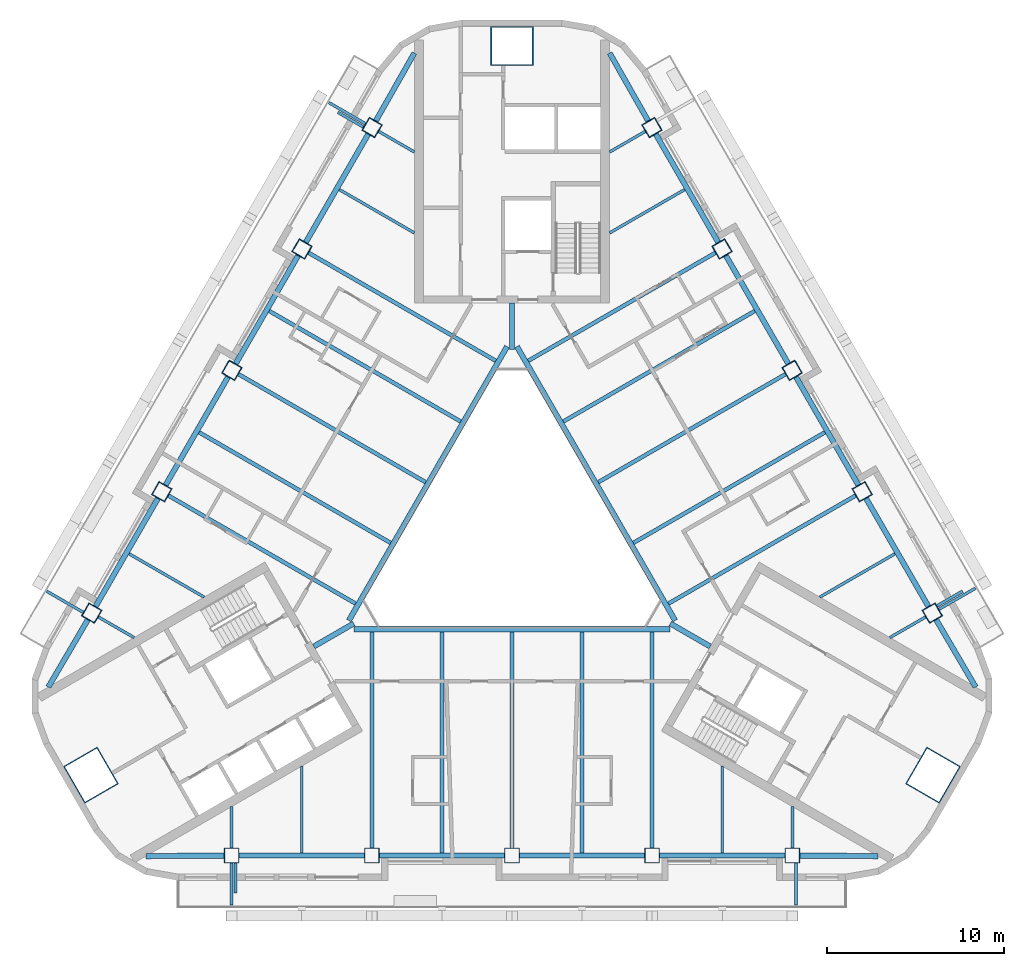
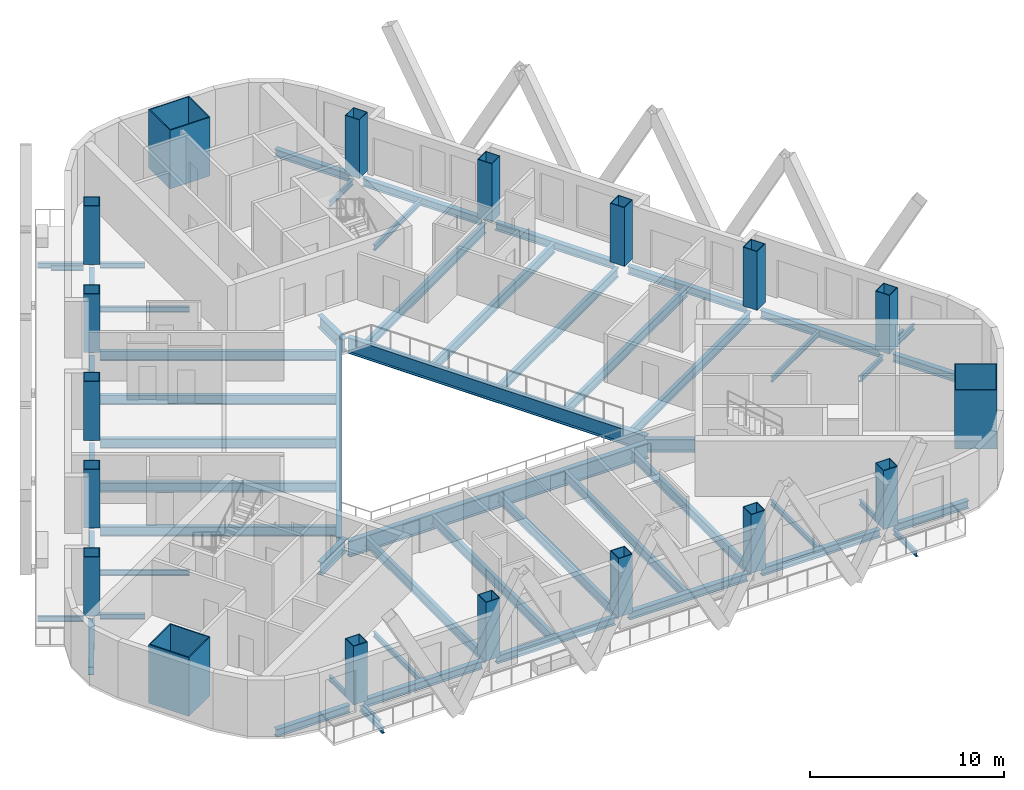
# One storey, part 1 of 13: 59 beams, 18 columns.
"""IFC4 building model written with IfcOpenShell, lengths in metres."""

from ifc_helpers import new_model, si_unit, direction, frame, origin, origin_2d, place, context, subcontext, project, spatial, rectangle, hollow_rectangle, i_section, extrude, material, material_profile, profile_set, type_object, element, save


model = new_model("IFC4")

# Units and contexts
model_context = context("Model", 3, precision=1e-05, world=origin(), true_north=direction((0.0, 1.0)))
body_context = subcontext(model_context, "Body", "Model", "MODEL_VIEW")
ifc_project = project(units=[si_unit("LENGTHUNIT", "METRE"), si_unit("AREAUNIT", "SQUARE_METRE"), si_unit("VOLUMEUNIT", "CUBIC_METRE"), si_unit("PLANEANGLEUNIT", "RADIAN"), si_unit("MASSUNIT", "GRAM", prefix="KILO")], contexts=[model_context])

# Site, building, storey
site_placement = place(None, origin())
site = spatial("IfcSite", under=ifc_project, at=site_placement, CompositionType="ELEMENT")
building_placement = place(site_placement, origin())
building = spatial("IfcBuilding", under=site, at=building_placement, Name="Apuvela Tower Hotel", CompositionType="ELEMENT")
storey_placement = place(building_placement, frame((0.0, 0.0, 183.60009765625)))
storey = spatial("IfcBuildingStorey", under=building, at=storey_placement, Name="L44", CompositionType="ELEMENT", Elevation=183.60009765625)

# Columns
ifc_material_1 = material(Name="Steel S460", Category="steel")
ifc_material_profile_1 = material_profile(ifc_material_1, hollow_rectangle(XDim=2.39990234375, YDim=2.199951171875, WallThickness=0.06005859375, at=origin_2d()), Name="BOX 2400x2200x60")
ifc_material_2 = material(Name="Concrete C80/95", Category="concrete")
ifc_material_profile_2 = material_profile(ifc_material_2, rectangle(XDim=2.280029296875, YDim=2.080078125, at=origin_2d()), Name="Concrete C80/95 infill")
ifc_profile_set_1 = profile_set([ifc_material_profile_1, ifc_material_profile_2], Name="Steel S460")
column_type_1 = type_object("IfcColumnType", Name="STR-MC mega column BOX 2400x2200x60", PredefinedType="COLUMN", material=ifc_profile_set_1)
for number, where, z_axis, x_axis, name in (
    (1, (0.0, 27.39990234375, 0.0), (0.0, 0.0, 1.0), (1.0, 0.0, 0.0), "Mega column MC3 N"),
    (2, (-23.72900390625, -13.699951171875, 0.0), (0.0, 0.0, 1.0), (-0.5, 0.866025403784, 0.0), "Mega column MC3 SW"),
    (3, (23.72900390625, -13.699951171875, 0.0), (0.0, 0.0, 1.0), (0.5, 0.866025403784, 0.0), "Mega column MC3 SE"),
):
    element("IfcColumn", number, at=place(storey_placement, frame(where, z_axis=z_axis, x_axis=x_axis)), inside=storey, type_object=column_type_1, Name=name, PredefinedType="COLUMN", context=body_context, shape_type="SweptSolid", body=[
        extrude(hollow_rectangle(XDim=2.39990234375, YDim=2.199951171875, WallThickness=0.06005859375, at=origin_2d()), origin(), (0.0, 0.0, 1.0), 3.699951171875),
    ])
ifc_material_profile_3 = material_profile(ifc_material_1, hollow_rectangle(XDim=0.85009765625, YDim=0.85009765625, WallThickness=0.0400390625, at=origin_2d()), Name="BOX 850x850x40")
ifc_material_profile_4 = material_profile(ifc_material_2, rectangle(XDim=0.77001953125, YDim=0.77001953125, at=origin_2d()), Name="Concrete C80/95 infill")
ifc_profile_set_2 = profile_set([ifc_material_profile_3, ifc_material_profile_4], Name="Steel S460")
column_type_2 = type_object("IfcColumnType", Name="STR-PC perimeter column BOX 850x850x40", PredefinedType="COLUMN", material=ifc_profile_set_2)
for number, where, z_axis, x_axis, name in (
    (4, (-15.800048828125, -18.22998046875, 0.0), (0.0, 0.0, 1.0), (-1.0, 0.0, 0.0), "Perimeter column C4 S1"),
    (5, (-7.89990234375, -18.22998046875, 0.0), (0.0, 0.0, 1.0), (-1.0, 0.0, 0.0), "Perimeter column C4 S2"),
    (6, (0.0, -18.22998046875, 0.0), (0.0, 0.0, 1.0), (-1.0, 0.0, 0.0), "Perimeter column C4 S3"),
    (7, (7.89990234375, -18.22998046875, 0.0), (0.0, 0.0, 1.0), (-1.0, 0.0, 0.0), "Perimeter column C4 S4"),
    (8, (15.800048828125, -18.22998046875, 0.0), (0.0, 0.0, 1.0), (-1.0, 0.0, 0.0), "Perimeter column C4 S5"),
    (9, (23.6875, -4.568115234375, 0.0), (0.0, 0.0, 1.0), (-0.5, 0.866025403784, 0.0), "Perimeter column C4 NE1"),
    (10, (19.737548828125, 2.2734375, 0.0), (0.0, 0.0, 1.0), (-0.5, 0.866025403784, 0.0), "Perimeter column C4 NE2"),
    (11, (15.78759765625, 9.114990234375, 0.0), (0.0, 0.0, 1.0), (-0.5, 0.866025403784, 0.0), "Perimeter column C4 NE3"),
    (12, (11.837646484375, 15.95654296875, 0.0), (0.0, 0.0, 1.0), (-0.5, 0.866025403784, 0.0), "Perimeter column C4 NE4"),
    (13, (7.8876953125, 22.798095703125, 0.0), (0.0, 0.0, 1.0), (-0.5, 0.866025403784, 0.0), "Perimeter column C4 NE5"),
    (14, (-7.8876953125, 22.798095703125, 0.0), (0.0, 0.0, 1.0), (0.5, 0.866025403784, 0.0), "Perimeter column C4 NW1"),
    (15, (-11.837646484375, 15.95654296875, 0.0), (0.0, 0.0, 1.0), (0.5, 0.866025403784, 0.0), "Perimeter column C4 NW2"),
    (16, (-15.78759765625, 9.114990234375, 0.0), (0.0, 0.0, 1.0), (0.5, 0.866025403784, 0.0), "Perimeter column C4 NW3"),
    (17, (-19.737548828125, 2.2734375, 0.0), (0.0, 0.0, 1.0), (0.5, 0.866025403784, 0.0), "Perimeter column C4 NW4"),
    (18, (-23.6875, -4.568115234375, 0.0), (0.0, 0.0, 1.0), (0.5, 0.866025403784, 0.0), "Perimeter column C4 NW5"),
):
    element("IfcColumn", number, at=place(storey_placement, frame(where, z_axis=z_axis, x_axis=x_axis)), inside=storey, type_object=column_type_2, Name=name, PredefinedType="COLUMN", context=body_context, shape_type="SweptSolid", body=[
        extrude(hollow_rectangle(XDim=0.85009765625, YDim=0.85009765625, WallThickness=0.0400390625, at=origin_2d()), origin(), (0.0, 0.0, 1.0), 3.699951171875),
    ])

# Beams
ifc_material_3 = material(Name="Steel S355", Category="steel")
ifc_material_profile_5 = material_profile(ifc_material_3, i_section(OverallWidth=0.159912109375, OverallDepth=0.330078125, WebThickness=0.007568359375, FlangeThickness=0.011474609375, at=origin_2d()), Name="IPE 330")
ifc_profile_set_3 = profile_set([ifc_material_profile_5], Name="Steel S355")
beam_type_1 = type_object("IfcBeamType", Name="ENV-BALCONY-BEAM-IPE330", PredefinedType="BEAM", material=ifc_profile_set_3)
beam_1_placement = place(storey_placement, frame((-15.800048828125, -18.655029296875, -0.315185546875), z_axis=(0.0, -1.0, 0.0), x_axis=(1.0, 0.0, 0.0)))
element("IfcBeam", 19, at=beam_1_placement, inside=storey, type_object=beam_type_1, Name="Balcony cantilever beam S1 L44", PredefinedType="BEAM", context=body_context, shape_type="SweptSolid", body=[
    extrude(i_section(OverallWidth=0.159912109375, OverallDepth=0.330078125, WebThickness=0.007568359375, FlangeThickness=0.011474609375, at=origin_2d()), origin(), (0.0, 0.0, 1.0), 2.375),
])
beam_2_placement = place(storey_placement, frame((-15.580078125, -18.655029296875, -0.315185546875), z_axis=(0.0, -1.0, 0.0), x_axis=(1.0, 0.0, 0.0)))
element("IfcBeam", 20, at=beam_2_placement, inside=storey, type_object=beam_type_1, Name="Balcony cantilever beam S2 L44", PredefinedType="BEAM", context=body_context, shape_type="SweptSolid", body=[
    extrude(i_section(OverallWidth=0.159912109375, OverallDepth=0.330078125, WebThickness=0.007568359375, FlangeThickness=0.011474609375, at=origin_2d()), origin(), (0.0, 0.0, 1.0), 1.675048828125),
])
for number, where, z_axis, x_axis, name in (
    (21, (16.0, -18.655029296875, -0.315185546875), (0.0, -1.0, 0.0), (1.0, 0.0, 0.0), "Balcony cantilever beam S3 L44"),
    (22, (24.0556640625, -4.355712890625, -0.315185546875), (0.866033238375, 0.499986429846, 0.0), (-0.499986429846, 0.866033238375, 0.0), "Balcony cantilever beam NE1 L44"),
):
    element("IfcBeam", number, at=place(storey_placement, frame(where, z_axis=z_axis, x_axis=x_axis)), inside=storey, type_object=beam_type_1, Name=name, PredefinedType="BEAM", context=body_context, shape_type="SweptSolid", body=[
        extrude(i_section(OverallWidth=0.159912109375, OverallDepth=0.330078125, WebThickness=0.007568359375, FlangeThickness=0.011474609375, at=origin_2d()), origin(), (0.0, 0.0, 1.0), 2.375),
    ])
beam_3_placement = place(storey_placement, frame((23.94580078125, -4.165283203125, -0.315185546875), z_axis=(0.865964676353, 0.500105168249, 0.0), x_axis=(-0.500105168249, 0.865964676353, 0.0)))
element("IfcBeam", 23, at=beam_3_placement, inside=storey, type_object=beam_type_1, Name="Balcony cantilever beam NE2 L44", PredefinedType="BEAM", context=body_context, shape_type="SweptSolid", body=[
    extrude(i_section(OverallWidth=0.159912109375, OverallDepth=0.330078125, WebThickness=0.007568359375, FlangeThickness=0.011474609375, at=origin_2d()), origin(), (0.0, 0.0, 1.0), 1.675048828125),
])
beam_4_placement = place(storey_placement, frame((-8.255615234375, 23.0107421875, -0.315185546875), z_axis=(-0.866033238375, 0.499986429846, 0.0), x_axis=(-0.499986429846, -0.866033238375, 0.0)))
element("IfcBeam", 24, at=beam_4_placement, inside=storey, type_object=beam_type_1, Name="Balcony cantilever beam NW1 L44", PredefinedType="BEAM", context=body_context, shape_type="SweptSolid", body=[
    extrude(i_section(OverallWidth=0.159912109375, OverallDepth=0.330078125, WebThickness=0.007568359375, FlangeThickness=0.011474609375, at=origin_2d()), origin(), (0.0, 0.0, 1.0), 2.375),
])
beam_5_placement = place(storey_placement, frame((-8.36572265625, 22.8203125, -0.315185546875), z_axis=(-0.866064234506, 0.499932737185, 0.0), x_axis=(-0.499932737185, -0.866064234506, 0.0)))
element("IfcBeam", 25, at=beam_5_placement, inside=storey, type_object=beam_type_1, Name="Balcony cantilever beam NW2 L44", PredefinedType="BEAM", context=body_context, shape_type="SweptSolid", body=[
    extrude(i_section(OverallWidth=0.159912109375, OverallDepth=0.330078125, WebThickness=0.007568359375, FlangeThickness=0.011474609375, at=origin_2d()), origin(), (0.0, 0.0, 1.0), 1.675048828125),
])
beam_6_placement = place(storey_placement, frame((-24.15576171875, -4.52880859375, -0.315185546875), z_axis=(-0.866007538022, 0.500030943131, 0.0), x_axis=(-0.500030943131, -0.866007538022, 0.0)))
element("IfcBeam", 26, at=beam_6_placement, inside=storey, type_object=beam_type_1, Name="Balcony cantilever beam NW3 L44", PredefinedType="BEAM", context=body_context, shape_type="SweptSolid", body=[
    extrude(i_section(OverallWidth=0.159912109375, OverallDepth=0.330078125, WebThickness=0.007568359375, FlangeThickness=0.011474609375, at=origin_2d()), origin(), (0.0, 0.0, 1.0), 2.374755859375),
])
ifc_material_profile_6 = material_profile(ifc_material_3, i_section(OverallWidth=0.159912109375, OverallDepth=0.330078125, WebThickness=0.007568359375, FlangeThickness=0.011474609375, at=origin_2d()), Name="IPE 330")
ifc_profile_set_4 = profile_set([ifc_material_profile_6], Name="Steel S355")
beam_type_2 = type_object("IfcBeamType", Name="STR-B floor beam IPE 330", PredefinedType="BEAM", material=ifc_profile_set_4)
beam_7_placement = place(storey_placement, frame((23.319580078125, -4.78076171875, -0.315185546875), z_axis=(-0.866018215049, -0.500012451049, 0.0), x_axis=(0.500012451049, -0.866018215049, 0.0)))
element("IfcBeam", 27, at=beam_7_placement, inside=storey, type_object=beam_type_2, Name="Floor beam B1 NE1", PredefinedType="BEAM", context=body_context, shape_type="SweptSolid", body=[
    extrude(i_section(OverallWidth=0.159912109375, OverallDepth=0.330078125, WebThickness=0.007568359375, FlangeThickness=0.011474609375, at=origin_2d()), origin(), (0.0, 0.0, 1.0), 2.33203125),
])
for number, where, z_axis, x_axis, name in (
    (28, (21.582763671875, -1.222412109375, -0.315185546875), (-0.866015056278, -0.500017921979, 0.0), (0.500017921979, -0.866015056278, 0.0), "Floor beam B1 NE2"),
    (29, (9.732666015625, 19.302490234375, -0.315185546875), (-0.866015056278, -0.500017921979, 0.0), (0.500017921979, -0.866015056278, 0.0), "Floor beam B1 NE8"),
):
    element("IfcBeam", number, at=place(storey_placement, frame(where, z_axis=z_axis, x_axis=x_axis)), inside=storey, type_object=beam_type_2, Name=name, PredefinedType="BEAM", context=body_context, shape_type="SweptSolid", body=[
        extrude(i_section(OverallWidth=0.159912109375, OverallDepth=0.330078125, WebThickness=0.007568359375, FlangeThickness=0.011474609375, at=origin_2d()), origin(), (0.0, 0.0, 1.0), 4.887451171875),
    ])
for number, where, z_axis, x_axis, name in (
    (30, (7.51953125, 22.585693359375, -0.315185546875), (-0.866018215049, -0.500012451049, 0.0), (0.500012451049, -0.866018215049, 0.0), "Floor beam B1 NE9"),
    (31, (-7.51953125, 22.585693359375, -0.315185546875), (0.866018215049, -0.500012451049, 0.0), (0.500012451049, 0.866018215049, 0.0), "Floor beam B1 NW1"),
):
    element("IfcBeam", number, at=place(storey_placement, frame(where, z_axis=z_axis, x_axis=x_axis)), inside=storey, type_object=beam_type_2, Name=name, PredefinedType="BEAM", context=body_context, shape_type="SweptSolid", body=[
        extrude(i_section(OverallWidth=0.159912109375, OverallDepth=0.330078125, WebThickness=0.007568359375, FlangeThickness=0.011474609375, at=origin_2d()), origin(), (0.0, 0.0, 1.0), 2.33203125),
    ])
for number, where, z_axis, x_axis, name in (
    (32, (-9.732666015625, 19.302490234375, -0.315185546875), (0.866015056278, -0.500017921979, 0.0), (0.500017921979, 0.866015056278, 0.0), "Floor beam B1 NW2"),
    (33, (-21.582763671875, -1.222412109375, -0.315185546875), (0.866015056278, -0.500017921979, 0.0), (0.500017921979, 0.866015056278, 0.0), "Floor beam B1 NW8"),
):
    element("IfcBeam", number, at=place(storey_placement, frame(where, z_axis=z_axis, x_axis=x_axis)), inside=storey, type_object=beam_type_2, Name=name, PredefinedType="BEAM", context=body_context, shape_type="SweptSolid", body=[
        extrude(i_section(OverallWidth=0.159912109375, OverallDepth=0.330078125, WebThickness=0.007568359375, FlangeThickness=0.011474609375, at=origin_2d()), origin(), (0.0, 0.0, 1.0), 4.887451171875),
    ])
for number, where, z_axis, x_axis, name in (
    (34, (-23.319580078125, -4.78076171875, -0.315185546875), (0.866018215049, -0.500012451049, 0.0), (0.500012451049, 0.866018215049, 0.0), "Floor beam B1 NW9"),
    (35, (-15.800048828125, -17.804931640625, -0.315185546875), (0.0, 1.0, 0.0), (-1.0, 0.0, 0.0), "Floor beam B1 S1"),
):
    element("IfcBeam", number, at=place(storey_placement, frame(where, z_axis=z_axis, x_axis=x_axis)), inside=storey, type_object=beam_type_2, Name=name, PredefinedType="BEAM", context=body_context, shape_type="SweptSolid", body=[
        extrude(i_section(OverallWidth=0.159912109375, OverallDepth=0.330078125, WebThickness=0.007568359375, FlangeThickness=0.011474609375, at=origin_2d()), origin(), (0.0, 0.0, 1.0), 2.33203125),
    ])
for number, where, z_axis, x_axis, name in (
    (36, (-11.85009765625, -18.080078125, -0.315185546875), (0.0, 1.0, 0.0), (-1.0, 0.0, 0.0), "Floor beam B1 S2"),
    (37, (11.85009765625, -18.080078125, -0.315185546875), (0.0, 1.0, 0.0), (-1.0, 0.0, 0.0), "Floor beam B1 S8"),
):
    element("IfcBeam", number, at=place(storey_placement, frame(where, z_axis=z_axis, x_axis=x_axis)), inside=storey, type_object=beam_type_2, Name=name, PredefinedType="BEAM", context=body_context, shape_type="SweptSolid", body=[
        extrude(i_section(OverallWidth=0.159912109375, OverallDepth=0.330078125, WebThickness=0.007568359375, FlangeThickness=0.011474609375, at=origin_2d()), origin(), (0.0, 0.0, 1.0), 4.8876953125),
    ])
beam_8_placement = place(storey_placement, frame((15.800048828125, -17.804931640625, -0.315185546875), z_axis=(0.0, 1.0, 0.0), x_axis=(-1.0, 0.0, 0.0)))
element("IfcBeam", 38, at=beam_8_placement, inside=storey, type_object=beam_type_2, Name="Floor beam B1 S9", PredefinedType="BEAM", context=body_context, shape_type="SweptSolid", body=[
    extrude(i_section(OverallWidth=0.159912109375, OverallDepth=0.330078125, WebThickness=0.007568359375, FlangeThickness=0.011474609375, at=origin_2d()), origin(), (0.0, 0.0, 1.0), 2.33203125),
])
ifc_material_profile_7 = material_profile(ifc_material_3, i_section(OverallWidth=0.219970703125, OverallDepth=0.60009765625, WebThickness=0.011962890625, FlangeThickness=0.01904296875, at=origin_2d()), Name="IPE 600")
ifc_profile_set_5 = profile_set([ifc_material_profile_7], Name="Steel S355")
beam_type_3 = type_object("IfcBeamType", Name="STR-B floor beam IPE 600", PredefinedType="BEAM", material=ifc_profile_set_5)
beam_9_placement = place(storey_placement, frame((19.36962890625, 2.060791015625, -0.4501953125), z_axis=(-0.866032437209, -0.499987817553, 0.0), x_axis=(0.499987817553, -0.866032437209, 0.0)))
element("IfcBeam", 39, at=beam_9_placement, inside=storey, type_object=beam_type_3, Name="Floor beam B8 NE3", PredefinedType="BEAM", context=body_context, shape_type="SweptSolid", body=[
    extrude(i_section(OverallWidth=0.219970703125, OverallDepth=0.60009765625, WebThickness=0.011962890625, FlangeThickness=0.01904296875, at=origin_2d()), origin(), (0.0, 0.0, 1.0), 12.184814453125),
])
beam_10_placement = place(storey_placement, frame((17.6328125, 5.619140625, -0.4501953125), z_axis=(-0.866027987673, -0.499995524547, 0.0), x_axis=(0.499995524547, -0.866027987673, 0.0)))
element("IfcBeam", 40, at=beam_10_placement, inside=storey, type_object=beam_type_3, Name="Floor beam B8 NE4", PredefinedType="BEAM", context=body_context, shape_type="SweptSolid", body=[
    extrude(i_section(OverallWidth=0.219970703125, OverallDepth=0.60009765625, WebThickness=0.011962890625, FlangeThickness=0.01904296875, at=origin_2d()), origin(), (0.0, 0.0, 1.0), 12.4599609375),
])
beam_11_placement = place(storey_placement, frame((15.419677734375, 8.902587890625, -0.4501953125), z_axis=(-0.8660237613, -0.500002844856, 0.0), x_axis=(0.500002844856, -0.8660237613, 0.0)))
element("IfcBeam", 41, at=beam_11_placement, inside=storey, type_object=beam_type_3, Name="Floor beam B8 NE5", PredefinedType="BEAM", context=body_context, shape_type="SweptSolid", body=[
    extrude(i_section(OverallWidth=0.219970703125, OverallDepth=0.60009765625, WebThickness=0.011962890625, FlangeThickness=0.01904296875, at=origin_2d()), origin(), (0.0, 0.0, 1.0), 12.18505859375),
])
beam_12_placement = place(storey_placement, frame((13.6826171875, 12.460693359375, -0.4501953125), z_axis=(-0.866023089177, -0.500004008996, 0.0), x_axis=(0.500004008996, -0.866023089177, 0.0)))
element("IfcBeam", 42, at=beam_12_placement, inside=storey, type_object=beam_type_3, Name="Floor beam B8 NE6", PredefinedType="BEAM", context=body_context, shape_type="SweptSolid", body=[
    extrude(i_section(OverallWidth=0.219970703125, OverallDepth=0.60009765625, WebThickness=0.011962890625, FlangeThickness=0.01904296875, at=origin_2d()), origin(), (0.0, 0.0, 1.0), 12.4599609375),
])
for number, where, z_axis, x_axis, name in (
    (43, (11.469482421875, 15.744140625, -0.4501953125), (-0.8660237613, -0.500002844856, 0.0), (0.500002844856, -0.8660237613, 0.0), "Floor beam B8 NE7"),
    (44, (-11.469482421875, 15.744140625, -0.4501953125), (0.8660237613, -0.500002844856, 0.0), (0.500002844856, 0.8660237613, 0.0), "Floor beam B8 NW3"),
):
    element("IfcBeam", number, at=place(storey_placement, frame(where, z_axis=z_axis, x_axis=x_axis)), inside=storey, type_object=beam_type_3, Name=name, PredefinedType="BEAM", context=body_context, shape_type="SweptSolid", body=[
        extrude(i_section(OverallWidth=0.219970703125, OverallDepth=0.60009765625, WebThickness=0.011962890625, FlangeThickness=0.01904296875, at=origin_2d()), origin(), (0.0, 0.0, 1.0), 12.18505859375),
    ])
beam_13_placement = place(storey_placement, frame((-13.6826171875, 12.460693359375, -0.4501953125), z_axis=(0.866023089177, -0.500004008996, 0.0), x_axis=(0.500004008996, 0.866023089177, 0.0)))
element("IfcBeam", 45, at=beam_13_placement, inside=storey, type_object=beam_type_3, Name="Floor beam B8 NW4", PredefinedType="BEAM", context=body_context, shape_type="SweptSolid", body=[
    extrude(i_section(OverallWidth=0.219970703125, OverallDepth=0.60009765625, WebThickness=0.011962890625, FlangeThickness=0.01904296875, at=origin_2d()), origin(), (0.0, 0.0, 1.0), 12.4599609375),
])
beam_14_placement = place(storey_placement, frame((-15.419677734375, 8.902587890625, -0.4501953125), z_axis=(0.8660237613, -0.500002844856, 0.0), x_axis=(0.500002844856, 0.8660237613, 0.0)))
element("IfcBeam", 46, at=beam_14_placement, inside=storey, type_object=beam_type_3, Name="Floor beam B8 NW5", PredefinedType="BEAM", context=body_context, shape_type="SweptSolid", body=[
    extrude(i_section(OverallWidth=0.219970703125, OverallDepth=0.60009765625, WebThickness=0.011962890625, FlangeThickness=0.01904296875, at=origin_2d()), origin(), (0.0, 0.0, 1.0), 12.18505859375),
])
beam_15_placement = place(storey_placement, frame((-17.6328125, 5.619140625, -0.4501953125), z_axis=(0.866027987673, -0.499995524547, 0.0), x_axis=(0.499995524547, 0.866027987673, 0.0)))
element("IfcBeam", 47, at=beam_15_placement, inside=storey, type_object=beam_type_3, Name="Floor beam B8 NW6", PredefinedType="BEAM", context=body_context, shape_type="SweptSolid", body=[
    extrude(i_section(OverallWidth=0.219970703125, OverallDepth=0.60009765625, WebThickness=0.011962890625, FlangeThickness=0.01904296875, at=origin_2d()), origin(), (0.0, 0.0, 1.0), 12.4599609375),
])
for number, where, z_axis, x_axis, name in (
    (48, (-19.36962890625, 2.060791015625, -0.4501953125), (0.866032437209, -0.499987817553, 0.0), (0.499987817553, 0.866032437209, 0.0), "Floor beam B8 NW7"),
    (49, (-7.89990234375, -17.804931640625, -0.4501953125), (0.0, 1.0, 0.0), (-1.0, 0.0, 0.0), "Floor beam B8 S3"),
):
    element("IfcBeam", number, at=place(storey_placement, frame(where, z_axis=z_axis, x_axis=x_axis)), inside=storey, type_object=beam_type_3, Name=name, PredefinedType="BEAM", context=body_context, shape_type="SweptSolid", body=[
        extrude(i_section(OverallWidth=0.219970703125, OverallDepth=0.60009765625, WebThickness=0.011962890625, FlangeThickness=0.01904296875, at=origin_2d()), origin(), (0.0, 0.0, 1.0), 12.184814453125),
    ])
beam_16_placement = place(storey_placement, frame((-3.949951171875, -18.080078125, -0.4501953125), z_axis=(0.0, 1.0, 0.0), x_axis=(-1.0, 0.0, 0.0)))
element("IfcBeam", 50, at=beam_16_placement, inside=storey, type_object=beam_type_3, Name="Floor beam B8 S4", PredefinedType="BEAM", context=body_context, shape_type="SweptSolid", body=[
    extrude(i_section(OverallWidth=0.219970703125, OverallDepth=0.60009765625, WebThickness=0.011962890625, FlangeThickness=0.01904296875, at=origin_2d()), origin(), (0.0, 0.0, 1.0), 12.4599609375),
])
beam_17_placement = place(storey_placement, frame((0.0, -17.804931640625, -0.4501953125), z_axis=(0.0, 1.0, 0.0), x_axis=(-1.0, 0.0, 0.0)))
element("IfcBeam", 51, at=beam_17_placement, inside=storey, type_object=beam_type_3, Name="Floor beam B8 S5", PredefinedType="BEAM", context=body_context, shape_type="SweptSolid", body=[
    extrude(i_section(OverallWidth=0.219970703125, OverallDepth=0.60009765625, WebThickness=0.011962890625, FlangeThickness=0.01904296875, at=origin_2d()), origin(), (0.0, 0.0, 1.0), 12.184814453125),
])
beam_18_placement = place(storey_placement, frame((3.949951171875, -18.080078125, -0.4501953125), z_axis=(0.0, 1.0, 0.0), x_axis=(-1.0, 0.0, 0.0)))
element("IfcBeam", 52, at=beam_18_placement, inside=storey, type_object=beam_type_3, Name="Floor beam B8 S6", PredefinedType="BEAM", context=body_context, shape_type="SweptSolid", body=[
    extrude(i_section(OverallWidth=0.219970703125, OverallDepth=0.60009765625, WebThickness=0.011962890625, FlangeThickness=0.01904296875, at=origin_2d()), origin(), (0.0, 0.0, 1.0), 12.4599609375),
])
beam_19_placement = place(storey_placement, frame((7.89990234375, -17.804931640625, -0.4501953125), z_axis=(0.0, 1.0, 0.0), x_axis=(-1.0, 0.0, 0.0)))
element("IfcBeam", 53, at=beam_19_placement, inside=storey, type_object=beam_type_3, Name="Floor beam B8 S7", PredefinedType="BEAM", context=body_context, shape_type="SweptSolid", body=[
    extrude(i_section(OverallWidth=0.219970703125, OverallDepth=0.60009765625, WebThickness=0.011962890625, FlangeThickness=0.01904296875, at=origin_2d()), origin(), (0.0, 0.0, 1.0), 12.184814453125),
])
ifc_material_profile_8 = material_profile(ifc_material_3, i_section(OverallWidth=0.300048828125, OverallDepth=1.0, WebThickness=0.01904296875, FlangeThickness=0.035888671875, at=origin_2d()), Name="HE 1000 B")
ifc_profile_set_6 = profile_set([ifc_material_profile_8], Name="Steel S355")
beam_type_4 = type_object("IfcBeamType", Name="STR-G atrium ring girder HE 1000 B", PredefinedType="BEAM", material=ifc_profile_set_6)
beam_20_placement = place(storey_placement, frame((-0.27978515625, 10.455078125, -0.650146484375), z_axis=(-0.500006541319, -0.866021627119, 0.0), x_axis=(0.866021627119, -0.500006541319, 0.0)))
element("IfcBeam", 54, at=beam_20_placement, inside=storey, type_object=beam_type_4, Name="Atrium ring girder G2 N-SW", PredefinedType="BEAM", context=body_context, shape_type="SweptSolid", body=[
    extrude(i_section(OverallWidth=0.300048828125, OverallDepth=1.0, WebThickness=0.01904296875, FlangeThickness=0.035888671875, at=origin_2d()), origin(), (0.0, 0.0, 1.0), 17.828857421875),
])
beam_21_placement = place(storey_placement, frame((-8.91455078125, -5.469970703125, -0.650146484375), z_axis=(1.0, 0.0, 0.0), x_axis=(0.0, 1.0, 0.0)))
element("IfcBeam", 55, at=beam_21_placement, inside=storey, type_object=beam_type_4, Name="Atrium ring girder G2 SW-SE", PredefinedType="BEAM", context=body_context, shape_type="SweptSolid", body=[
    extrude(i_section(OverallWidth=0.300048828125, OverallDepth=1.0, WebThickness=0.01904296875, FlangeThickness=0.035888671875, at=origin_2d()), origin(), (0.0, 0.0, 1.0), 17.8291015625),
])
beam_22_placement = place(storey_placement, frame((9.1943359375, -4.985107421875, -0.650146484375), z_axis=(-0.500006541319, 0.866021627119, 0.0), x_axis=(-0.866021627119, -0.500006541319, 0.0)))
element("IfcBeam", 56, at=beam_22_placement, inside=storey, type_object=beam_type_4, Name="Atrium ring girder G2 SE-N", PredefinedType="BEAM", context=body_context, shape_type="SweptSolid", body=[
    extrude(i_section(OverallWidth=0.300048828125, OverallDepth=1.0, WebThickness=0.01904296875, FlangeThickness=0.035888671875, at=origin_2d()), origin(), (0.0, 0.0, 1.0), 17.828857421875),
])
ifc_material_profile_9 = material_profile(ifc_material_3, i_section(OverallWidth=0.300048828125, OverallDepth=0.800048828125, WebThickness=0.017578125, FlangeThickness=0.032958984375, at=origin_2d()), Name="HE 800 B")
ifc_profile_set_7 = profile_set([ifc_material_profile_9], Name="Steel S355")
beam_type_5 = type_object("IfcBeamType", Name="STR-GT core tie beam HE 800 B", PredefinedType="BEAM", material=ifc_profile_set_7)
for number, where, z_axis, x_axis, name in (
    (57, (0.0, 12.89990234375, -0.550048828125), (0.0, -1.0, 0.0), (1.0, 0.0, 0.0), "Core tie beam GT1 N"),
    (58, (-11.171630859375, -6.449951171875, -0.550048828125), (0.865997922154, 0.500047596559, 0.0), (-0.500047596559, 0.865997922154, 0.0), "Core tie beam GT1 SW"),
    (59, (11.171630859375, -6.449951171875, -0.550048828125), (-0.865997922154, 0.500047596559, 0.0), (-0.500047596559, -0.865997922154, 0.0), "Core tie beam GT1 SE"),
):
    element("IfcBeam", number, at=place(storey_placement, frame(where, z_axis=z_axis, x_axis=x_axis)), inside=storey, type_object=beam_type_5, Name=name, PredefinedType="BEAM", context=body_context, shape_type="SweptSolid", body=[
        extrude(i_section(OverallWidth=0.300048828125, OverallDepth=0.800048828125, WebThickness=0.017578125, FlangeThickness=0.032958984375, at=origin_2d()), origin(), (0.0, 0.0, 1.0), 2.599853515625),
    ])
ifc_material_profile_10 = material_profile(ifc_material_3, i_section(OverallWidth=0.300048828125, OverallDepth=0.489990234375, WebThickness=0.011962890625, FlangeThickness=0.02294921875, at=origin_2d()), Name="HE 500 A")
ifc_profile_set_8 = profile_set([ifc_material_profile_10], Name="Steel S355")
beam_type_6 = type_object("IfcBeamType", Name="STR-SB spandrel beam HE 500 A", PredefinedType="SPANDREL", material=ifc_profile_set_8)
for number, where, z_axis, x_axis, name in (
    (60, (-15.375, -18.22998046875, -0.39501953125), (1.0, 0.0, 0.0), (0.0, 1.0, 0.0), "Spandrel beam SB3 S1"),
    (61, (-7.47509765625, -18.22998046875, -0.39501953125), (1.0, 0.0, 0.0), (0.0, 1.0, 0.0), "Spandrel beam SB3 S2"),
    (62, (0.425048828125, -18.22998046875, -0.39501953125), (1.0, 0.0, 0.0), (0.0, 1.0, 0.0), "Spandrel beam SB3 S3"),
    (63, (8.324951171875, -18.22998046875, -0.39501953125), (1.0, 0.0, 0.0), (0.0, 1.0, 0.0), "Spandrel beam SB3 S4"),
    (64, (23.47509765625, -4.2001953125, -0.39501953125), (-0.499990246421, 0.866031034943, 0.0), (-0.866031034943, -0.499990246421, 0.0), "Spandrel beam SB3 NE1"),
):
    element("IfcBeam", number, at=place(storey_placement, frame(where, z_axis=z_axis, x_axis=x_axis)), inside=storey, type_object=beam_type_6, Name=name, PredefinedType="SPANDREL", context=body_context, shape_type="SweptSolid", body=[
        extrude(i_section(OverallWidth=0.300048828125, OverallDepth=0.489990234375, WebThickness=0.011962890625, FlangeThickness=0.02294921875, at=origin_2d()), origin(), (0.0, 0.0, 1.0), 7.050048828125),
    ])
for number, where, z_axis, x_axis, name in (
    (65, (19.525146484375, 2.6416015625, -0.39501953125), (-0.500031214443, 0.866007381368, 0.0), (-0.866007381368, -0.500031214443, 0.0), "Spandrel beam SB3 NE2"),
    (66, (15.5751953125, 9.483154296875, -0.39501953125), (-0.500031214443, 0.866007381368, 0.0), (-0.866007381368, -0.500031214443, 0.0), "Spandrel beam SB3 NE3"),
):
    element("IfcBeam", number, at=place(storey_placement, frame(where, z_axis=z_axis, x_axis=x_axis)), inside=storey, type_object=beam_type_6, Name=name, PredefinedType="SPANDREL", context=body_context, shape_type="SweptSolid", body=[
        extrude(i_section(OverallWidth=0.300048828125, OverallDepth=0.489990234375, WebThickness=0.011962890625, FlangeThickness=0.02294921875, at=origin_2d()), origin(), (0.0, 0.0, 1.0), 7.0498046875),
    ])
for number, where, z_axis, x_axis, name in (
    (67, (11.625, 16.32470703125, -0.39501953125), (-0.499990246421, 0.866031034943, 0.0), (-0.866031034943, -0.499990246421, 0.0), "Spandrel beam SB3 NE4"),
    (68, (-8.10009765625, 22.43017578125, -0.39501953125), (-0.499990246421, -0.866031034943, 0.0), (0.866031034943, -0.499990246421, 0.0), "Spandrel beam SB3 NW1"),
):
    element("IfcBeam", number, at=place(storey_placement, frame(where, z_axis=z_axis, x_axis=x_axis)), inside=storey, type_object=beam_type_6, Name=name, PredefinedType="SPANDREL", context=body_context, shape_type="SweptSolid", body=[
        extrude(i_section(OverallWidth=0.300048828125, OverallDepth=0.489990234375, WebThickness=0.011962890625, FlangeThickness=0.02294921875, at=origin_2d()), origin(), (0.0, 0.0, 1.0), 7.050048828125),
    ])
for number, where, z_axis, x_axis, name in (
    (69, (-12.050048828125, 15.58837890625, -0.39501953125), (-0.500031214443, -0.866007381368, 0.0), (0.866007381368, -0.500031214443, 0.0), "Spandrel beam SB3 NW2"),
    (70, (-16.0, 8.746826171875, -0.39501953125), (-0.500031214443, -0.866007381368, 0.0), (0.866007381368, -0.500031214443, 0.0), "Spandrel beam SB3 NW3"),
):
    element("IfcBeam", number, at=place(storey_placement, frame(where, z_axis=z_axis, x_axis=x_axis)), inside=storey, type_object=beam_type_6, Name=name, PredefinedType="SPANDREL", context=body_context, shape_type="SweptSolid", body=[
        extrude(i_section(OverallWidth=0.300048828125, OverallDepth=0.489990234375, WebThickness=0.011962890625, FlangeThickness=0.02294921875, at=origin_2d()), origin(), (0.0, 0.0, 1.0), 7.0498046875),
    ])
beam_23_placement = place(storey_placement, frame((-19.9501953125, 1.9052734375, -0.39501953125), z_axis=(-0.499990246421, -0.866031034943, 0.0), x_axis=(0.866031034943, -0.499990246421, 0.0)))
element("IfcBeam", 71, at=beam_23_placement, inside=storey, type_object=beam_type_6, Name="Spandrel beam SB3 NW4", PredefinedType="SPANDREL", context=body_context, shape_type="SweptSolid", body=[
    extrude(i_section(OverallWidth=0.300048828125, OverallDepth=0.489990234375, WebThickness=0.011962890625, FlangeThickness=0.02294921875, at=origin_2d()), origin(), (0.0, 0.0, 1.0), 7.050048828125),
])
for number, where, z_axis, x_axis, name in (
    (72, (-16.22509765625, -18.23291015625, -0.39501953125), (-0.999976414172, -0.006868122043, 0.0), (0.006868122043, -0.999976414172, 0.0), "Spandrel beam SB3 S1-SW"),
    (73, (16.22509765625, -18.23291015625, -0.39501953125), (0.999976414172, -0.006868122043, 0.0), (0.006868122043, 0.999976414172, 0.0), "Spandrel beam SB3 S5-SE"),
):
    element("IfcBeam", number, at=place(storey_placement, frame(where, z_axis=z_axis, x_axis=x_axis)), inside=storey, type_object=beam_type_6, Name=name, PredefinedType="SPANDREL", context=body_context, shape_type="SweptSolid", body=[
        extrude(i_section(OverallWidth=0.300048828125, OverallDepth=0.489990234375, WebThickness=0.011962890625, FlangeThickness=0.02294921875, at=origin_2d()), origin(), (0.0, 0.0, 1.0), 4.40771484375),
    ])
beam_24_placement = place(storey_placement, frame((23.902587890625, -4.934814453125, -0.39501953125), z_axis=(0.505966812052, -0.86255294626, 0.0), x_axis=(0.86255294626, 0.505966812052, 0.0)))
element("IfcBeam", 74, at=beam_24_placement, inside=storey, type_object=beam_type_6, Name="Spandrel beam SB3 NE1-SE", PredefinedType="SPANDREL", context=body_context, shape_type="SweptSolid", body=[
    extrude(i_section(OverallWidth=0.300048828125, OverallDepth=0.489990234375, WebThickness=0.011962890625, FlangeThickness=0.02294921875, at=origin_2d()), origin(), (0.0, 0.0, 1.0), 4.407958984375),
])
for number, where, z_axis, x_axis, name in (
    (75, (7.677734375, 23.167724609375, -0.39501953125), (-0.494061745322, 0.869426817972, 0.0), (-0.869426817972, -0.494061745322, 0.0), "Spandrel beam SB3 NE5-N"),
    (76, (-7.677734375, 23.167724609375, -0.39501953125), (0.494061745322, 0.869426817972, 0.0), (-0.869426817972, 0.494061745322, 0.0), "Spandrel beam SB3 NW1-N"),
):
    element("IfcBeam", number, at=place(storey_placement, frame(where, z_axis=z_axis, x_axis=x_axis)), inside=storey, type_object=beam_type_6, Name=name, PredefinedType="SPANDREL", context=body_context, shape_type="SweptSolid", body=[
        extrude(i_section(OverallWidth=0.300048828125, OverallDepth=0.489990234375, WebThickness=0.011962890625, FlangeThickness=0.02294921875, at=origin_2d()), origin(), (0.0, 0.0, 1.0), 4.40771484375),
    ])
beam_25_placement = place(storey_placement, frame((-23.902587890625, -4.934814453125, -0.39501953125), z_axis=(-0.505966812052, -0.86255294626, 0.0), x_axis=(0.86255294626, -0.505966812052, 0.0)))
element("IfcBeam", 77, at=beam_25_placement, inside=storey, type_object=beam_type_6, Name="Spandrel beam SB3 NW5-SW", PredefinedType="SPANDREL", context=body_context, shape_type="SweptSolid", body=[
    extrude(i_section(OverallWidth=0.300048828125, OverallDepth=0.489990234375, WebThickness=0.011962890625, FlangeThickness=0.02294921875, at=origin_2d()), origin(), (0.0, 0.0, 1.0), 4.407958984375),
])

save(model, "model.ifc")
